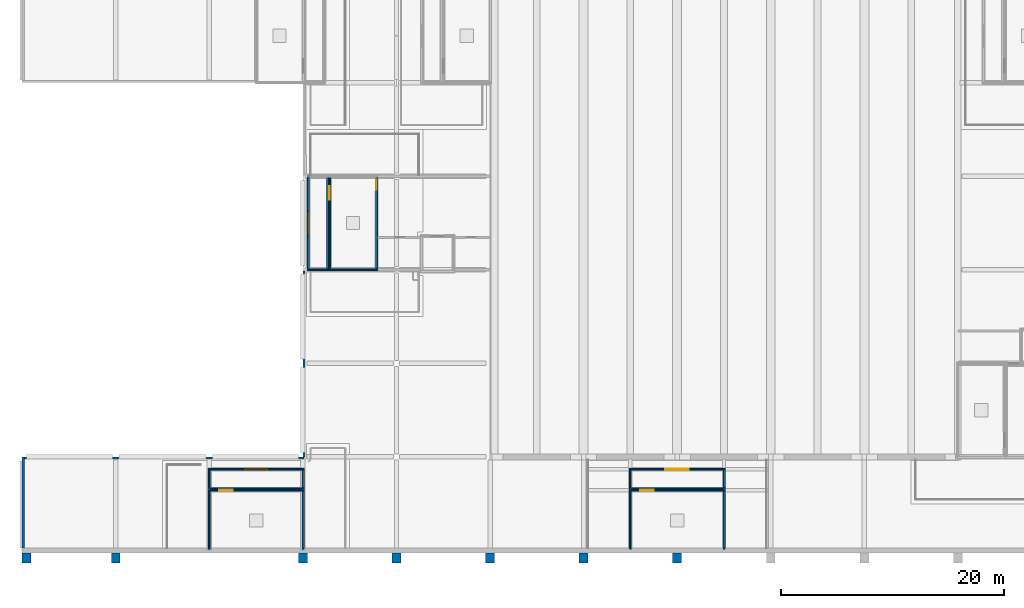
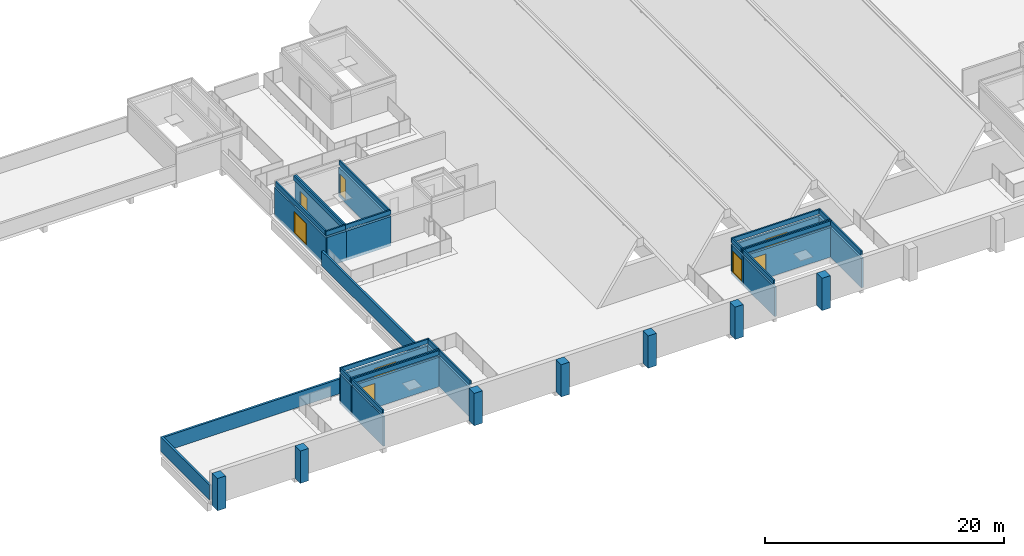
# One storey, part 11 of 24: 47 walls, 8 doors, 8 openings.
"""IFC4 building model written with IfcOpenShell, lengths in metres."""

from ifc_helpers import new_model, si_unit, direction, frame, frame_2d, origin, place, context, subcontext, project, spatial, rectangle, extrude, material, layer, layer_set, type_object, element, fill, save


model = new_model("IFC4")

# Units and contexts
model_context = context("Model", 3, precision=1e-05, world=origin(), true_north=direction((0.0, 1.0)))
body_context = subcontext(model_context, "Body", "Model", "MODEL_VIEW")
ifc_project = project(units=[si_unit("LENGTHUNIT", "METRE"), si_unit("AREAUNIT", "SQUARE_METRE"), si_unit("VOLUMEUNIT", "CUBIC_METRE"), si_unit("PLANEANGLEUNIT", "RADIAN"), si_unit("MASSUNIT", "GRAM", prefix="KILO")], contexts=[model_context])

# Site, building, storey
site_placement = place(None, origin())
site = spatial("IfcSite", under=ifc_project, at=site_placement, CompositionType="ELEMENT")
building_placement = place(site_placement, origin())
building = spatial("IfcBuilding", under=site, at=building_placement, Name="Rulbaag Community and Learning Centre", CompositionType="ELEMENT")
storey_placement = place(building_placement, frame((0.0, 0.0, 14.39990234375)))
storey = spatial("IfcBuildingStorey", under=building, at=storey_placement, Name="L03", CompositionType="ELEMENT", Elevation=14.39990234375)

# Walls
ifc_material_1 = material(Name="Concrete M40", Category="concrete")
ifc_layer_1 = layer(ifc_material_1, 0.800048828125)
ifc_layer_set_1 = layer_set([ifc_layer_1], Name="EW-BTR")
wall_type_1 = type_object("IfcWallType", Name="EW-BTR", PredefinedType="SOLIDWALL", material=ifc_layer_set_1)
for number, where, z_axis, x_axis, name in (
    (1, (0.39990234375, -0.22509765625, -0.2998046875), (0.0, 0.0, 1.0), (0.0, -1.0, 0.0), "Buttress pier"),
    (2, (8.39990234375, -0.22509765625, -0.2998046875), (0.0, 0.0, 1.0), (0.0, -1.0, 0.0), "Buttress pier"),
    (3, (25.199951171875, -0.22509765625, -0.2998046875), (0.0, 0.0, 1.0), (0.0, -1.0, 0.0), "Buttress pier"),
    (4, (33.60009765625, -0.22509765625, -0.2998046875), (0.0, 0.0, 1.0), (0.0, -1.0, 0.0), "Buttress pier"),
    (5, (42.0, -0.22509765625, -0.2998046875), (0.0, 0.0, 1.0), (0.0, -1.0, 0.0), "Buttress pier"),
    (6, (50.39990234375, -0.22509765625, -0.2998046875), (0.0, 0.0, 1.0), (0.0, -1.0, 0.0), "Buttress pier"),
    (7, (58.800048828125, -0.22509765625, -0.2998046875), (0.0, 0.0, 1.0), (0.0, -1.0, 0.0), "Buttress pier"),
):
    element("IfcWall", number, at=place(storey_placement, frame(where, z_axis=z_axis, x_axis=x_axis)), inside=storey, type_object=wall_type_1, Name=name, PredefinedType="SOLIDWALL", context=body_context, shape_type="SweptSolid", body=[
        extrude(rectangle(XDim=0.89990234375, YDim=0.800048828125, at=frame_2d((0.449951171875, 0.0))), origin(), (0.0, 0.0, 1.0), 3.2998046875),
    ])
ifc_layer_2 = layer(ifc_material_1, 0.14990234375)
ifc_layer_set_2 = layer_set([ifc_layer_2], Name="EW-PAR150")
wall_type_2 = type_object("IfcWallType", Name="EW-PAR150", PredefinedType="PARAPET", material=ifc_layer_set_2)
wall_1_placement = place(storey_placement, frame((27.5, 25.175048828125, 2.900146484375), z_axis=(0.0, 0.0, 1.0), x_axis=(1.0, 0.0, 0.0)))
element("IfcWall", 8, at=wall_1_placement, inside=storey, type_object=wall_type_2, Name="Precast concrete roof upstand with drip nose, head house roofs", PredefinedType="PARAPET", context=body_context, shape_type="SweptSolid", body=[
    extrude(rectangle(XDim=4.39990234375, YDim=0.14990234375, at=frame_2d((2.199951171875, 0.0))), origin(), (0.0, 0.0, 1.0), 0.449951171875),
])
for number, where, z_axis, x_axis, name in (
    (9, (27.574951171875, 25.25, 2.900146484375), (0.0, 0.0, 1.0), (0.0, 1.0, 0.0), "Precast concrete roof upstand with drip nose, head house roofs"),
    (10, (31.824951171875, 25.25, 2.900146484375), (0.0, 0.0, 1.0), (0.0, 1.0, 0.0), "Precast concrete roof upstand with drip nose, head house roofs"),
):
    element("IfcWall", number, at=place(storey_placement, frame(where, z_axis=z_axis, x_axis=x_axis)), inside=storey, type_object=wall_type_2, Name=name, PredefinedType="PARAPET", context=body_context, shape_type="SweptSolid", body=[
        extrude(rectangle(XDim=8.300048828125, YDim=0.14990234375, at=frame_2d((4.14990234375, 0.0))), origin(), (0.0, 0.0, 1.0), 0.449951171875),
    ])
wall_2_placement = place(storey_placement, frame((25.60009765625, 25.175048828125, 2.900146484375), z_axis=(0.0, 0.0, 1.0), x_axis=(1.0, 0.0, 0.0)))
element("IfcWall", 11, at=wall_2_placement, inside=storey, type_object=wall_type_2, Name="Precast concrete roof upstand with drip nose, head house roofs", PredefinedType="PARAPET", context=body_context, shape_type="SweptSolid", body=[
    extrude(rectangle(XDim=1.89990234375, YDim=0.14990234375, at=frame_2d((0.949951171875, 0.0))), origin(), (0.0, 0.0, 1.0), 0.449951171875),
])
for number, where, z_axis, x_axis, name in (
    (12, (25.675048828125, 25.25, 2.900146484375), (0.0, 0.0, 1.0), (0.0, 1.0, 0.0), "Precast concrete roof upstand with drip nose, head house roofs"),
    (13, (27.425048828125, 25.25, 2.900146484375), (0.0, 0.0, 1.0), (0.0, 1.0, 0.0), "Precast concrete roof upstand with drip nose, head house roofs"),
):
    element("IfcWall", number, at=place(storey_placement, frame(where, z_axis=z_axis, x_axis=x_axis)), inside=storey, type_object=wall_type_2, Name=name, PredefinedType="PARAPET", context=body_context, shape_type="SweptSolid", body=[
        extrude(rectangle(XDim=8.300048828125, YDim=0.14990234375, at=frame_2d((4.14990234375, 0.0))), origin(), (0.0, 0.0, 1.0), 0.449951171875),
    ])
wall_3_placement = place(storey_placement, frame((54.5, 5.425048828125, 2.900146484375), z_axis=(0.0, 0.0, 1.0), x_axis=(1.0, 0.0, 0.0)))
element("IfcWall", 14, at=wall_3_placement, inside=storey, type_object=wall_type_2, Name="Precast concrete roof upstand with drip nose, head house roofs", PredefinedType="PARAPET", context=body_context, shape_type="SweptSolid", body=[
    extrude(rectangle(XDim=8.60009765625, YDim=0.14990234375, at=frame_2d((4.300048828125, 0.0))), origin(), (0.0, 0.0, 1.0), 0.449951171875),
])
for number, where, z_axis, x_axis, name in (
    (15, (54.574951171875, 0.22509765625, 2.900146484375), (0.0, 0.0, 1.0), (0.0, 1.0, 0.0), "Precast concrete roof upstand with drip nose, head house roofs"),
    (16, (63.02490234375, 0.22509765625, 2.900146484375), (0.0, 0.0, 1.0), (0.0, 1.0, 0.0), "Precast concrete roof upstand with drip nose, head house roofs"),
):
    element("IfcWall", number, at=place(storey_placement, frame(where, z_axis=z_axis, x_axis=x_axis)), inside=storey, type_object=wall_type_2, Name=name, PredefinedType="PARAPET", context=body_context, shape_type="SweptSolid", body=[
        extrude(rectangle(XDim=5.125, YDim=0.14990234375, at=frame_2d((2.5625, 0.0))), origin(), (0.0, 0.0, 1.0), 0.449951171875),
    ])
for number, where, z_axis, x_axis, name in (
    (17, (54.5, 5.574951171875, 2.900146484375), (0.0, 0.0, 1.0), (1.0, 0.0, 0.0), "Precast concrete roof upstand with drip nose, head house roofs"),
    (18, (54.5, 7.324951171875, 2.900146484375), (0.0, 0.0, 1.0), (1.0, 0.0, 0.0), "Precast concrete roof upstand with drip nose, head house roofs"),
):
    element("IfcWall", number, at=place(storey_placement, frame(where, z_axis=z_axis, x_axis=x_axis)), inside=storey, type_object=wall_type_2, Name=name, PredefinedType="PARAPET", context=body_context, shape_type="SweptSolid", body=[
        extrude(rectangle(XDim=8.60009765625, YDim=0.14990234375, at=frame_2d((4.300048828125, 0.0))), origin(), (0.0, 0.0, 1.0), 0.449951171875),
    ])
for number, where, z_axis, x_axis, name in (
    (19, (54.574951171875, 5.64990234375, 2.900146484375), (0.0, 0.0, 1.0), (0.0, 1.0, 0.0), "Precast concrete roof upstand with drip nose, head house roofs"),
    (20, (63.02490234375, 5.64990234375, 2.900146484375), (0.0, 0.0, 1.0), (0.0, 1.0, 0.0), "Precast concrete roof upstand with drip nose, head house roofs"),
):
    element("IfcWall", number, at=place(storey_placement, frame(where, z_axis=z_axis, x_axis=x_axis)), inside=storey, type_object=wall_type_2, Name=name, PredefinedType="PARAPET", context=body_context, shape_type="SweptSolid", body=[
        extrude(rectangle(XDim=1.60009765625, YDim=0.14990234375, at=frame_2d((0.800048828125, 0.0))), origin(), (0.0, 0.0, 1.0), 0.449951171875),
    ])
wall_4_placement = place(storey_placement, frame((16.699951171875, 5.425048828125, 2.900146484375), z_axis=(0.0, 0.0, 1.0), x_axis=(1.0, 0.0, 0.0)))
element("IfcWall", 21, at=wall_4_placement, inside=storey, type_object=wall_type_2, Name="Precast concrete roof upstand with drip nose, head house roofs", PredefinedType="PARAPET", context=body_context, shape_type="SweptSolid", body=[
    extrude(rectangle(XDim=8.60009765625, YDim=0.14990234375, at=frame_2d((4.300048828125, 0.0))), origin(), (0.0, 0.0, 1.0), 0.449951171875),
])
for number, where, z_axis, x_axis, name in (
    (22, (16.77490234375, 0.22509765625, 2.900146484375), (0.0, 0.0, 1.0), (0.0, 1.0, 0.0), "Precast concrete roof upstand with drip nose, head house roofs"),
    (23, (25.22509765625, 0.22509765625, 2.900146484375), (0.0, 0.0, 1.0), (0.0, 1.0, 0.0), "Precast concrete roof upstand with drip nose, head house roofs"),
):
    element("IfcWall", number, at=place(storey_placement, frame(where, z_axis=z_axis, x_axis=x_axis)), inside=storey, type_object=wall_type_2, Name=name, PredefinedType="PARAPET", context=body_context, shape_type="SweptSolid", body=[
        extrude(rectangle(XDim=5.125, YDim=0.14990234375, at=frame_2d((2.5625, 0.0))), origin(), (0.0, 0.0, 1.0), 0.449951171875),
    ])
for number, where, z_axis, x_axis, name in (
    (24, (16.699951171875, 5.574951171875, 2.900146484375), (0.0, 0.0, 1.0), (1.0, 0.0, 0.0), "Precast concrete roof upstand with drip nose, head house roofs"),
    (25, (16.699951171875, 7.324951171875, 2.900146484375), (0.0, 0.0, 1.0), (1.0, 0.0, 0.0), "Precast concrete roof upstand with drip nose, head house roofs"),
):
    element("IfcWall", number, at=place(storey_placement, frame(where, z_axis=z_axis, x_axis=x_axis)), inside=storey, type_object=wall_type_2, Name=name, PredefinedType="PARAPET", context=body_context, shape_type="SweptSolid", body=[
        extrude(rectangle(XDim=8.60009765625, YDim=0.14990234375, at=frame_2d((4.300048828125, 0.0))), origin(), (0.0, 0.0, 1.0), 0.449951171875),
    ])
for number, where, z_axis, x_axis, name in (
    (26, (16.77490234375, 5.64990234375, 2.900146484375), (0.0, 0.0, 1.0), (0.0, 1.0, 0.0), "Precast concrete roof upstand with drip nose, head house roofs"),
    (27, (25.22509765625, 5.64990234375, 2.900146484375), (0.0, 0.0, 1.0), (0.0, 1.0, 0.0), "Precast concrete roof upstand with drip nose, head house roofs"),
):
    element("IfcWall", number, at=place(storey_placement, frame(where, z_axis=z_axis, x_axis=x_axis)), inside=storey, type_object=wall_type_2, Name=name, PredefinedType="PARAPET", context=body_context, shape_type="SweptSolid", body=[
        extrude(rectangle(XDim=1.60009765625, YDim=0.14990234375, at=frame_2d((0.800048828125, 0.0))), origin(), (0.0, 0.0, 1.0), 0.449951171875),
    ])
ifc_layer_3 = layer(ifc_material_1, 0.199951171875)
ifc_layer_set_3 = layer_set([ifc_layer_3], Name="EW-PAR200")
wall_type_3 = type_object("IfcWallType", Name="EW-PAR200", PredefinedType="PARAPET", material=ifc_layer_set_3)
wall_5_placement = place(storey_placement, frame((0.10009765625, 0.22509765625, 0.0), z_axis=(0.0, 0.0, 1.0), x_axis=(0.0, 1.0, 0.0)))
element("IfcWall", 28, at=wall_5_placement, inside=storey, type_object=wall_type_3, Name="Roof parapet", PredefinedType="PARAPET", context=body_context, shape_type="SweptSolid", body=[
    extrude(rectangle(XDim=8.1748046875, YDim=0.199951171875, at=frame_2d((4.08740234375, 0.0))), origin(), (0.0, 0.0, 1.0), 1.5),
])
wall_6_placement = place(storey_placement, frame((0.199951171875, 8.300048828125, 0.0), z_axis=(0.0, 0.0, 1.0), x_axis=(1.0, 0.0, 0.0)))
element("IfcWall", 29, at=wall_6_placement, inside=storey, type_object=wall_type_3, Name="Roof parapet", PredefinedType="PARAPET", context=body_context, shape_type="SweptSolid", body=[
    extrude(rectangle(XDim=25.10009765625, YDim=0.199951171875, at=frame_2d((12.550048828125, 0.0))), origin(), (0.0, 0.0, 1.0), 1.5),
])
wall_7_placement = place(storey_placement, frame((25.300048828125, 8.39990234375, 0.0), z_axis=(0.0, 0.0, 1.0), x_axis=(0.0, 1.0, 0.0)))
element("IfcWall", 30, at=wall_7_placement, inside=storey, type_object=wall_type_3, Name="Roof parapet", PredefinedType="PARAPET", context=body_context, shape_type="SweptSolid", body=[
    extrude(rectangle(XDim=16.7001953125, YDim=0.199951171875, at=frame_2d((8.35009765625, 0.0))), origin(), (0.0, 0.0, 1.0), 1.5),
])
ifc_layer_4 = layer(ifc_material_1, 0.199951171875)
ifc_layer_set_4 = layer_set([ifc_layer_4], Name="W14 Stair head wall 200 Concrete M40")
wall_type_4 = type_object("IfcWallType", Name="W14 Stair head wall 200 Concrete M40", PredefinedType="SHEAR", material=ifc_layer_set_4)
wall_8_placement = place(storey_placement, frame((27.5, 25.199951171875, -0.2998046875), z_axis=(0.0, 0.0, 1.0), x_axis=(1.0, 0.0, 0.0)))
element("IfcWall", 31, at=wall_8_placement, inside=storey, type_object=wall_type_4, Name="WL-HEAD-SH1-S", PredefinedType="SHEAR", context=body_context, shape_type="SweptSolid", body=[
    extrude(rectangle(XDim=4.39990234375, YDim=0.199951171875, at=frame_2d((2.199951171875, 0.0))), origin(), (0.0, 0.0, 1.0), 3.0),
])

# Wall, opening, door
wall_9_placement = place(storey_placement, frame((27.60009765625, 25.300048828125, -0.2998046875), z_axis=(0.0, 0.0, 1.0), x_axis=(0.0, 1.0, 0.0)))
wall_9 = element("IfcWall", 32, at=wall_9_placement, inside=storey, type_object=wall_type_4, Name="WL-HEAD-SH1-W", PredefinedType="SHEAR", context=body_context, shape_type="SweptSolid", body=[
    extrude(rectangle(XDim=8.199951171875, YDim=0.199951171875, at=frame_2d((4.10009765625, 0.0))), origin(), (0.0, 0.0, 1.0), 3.0),
])
opening_1_placement = place(wall_9_placement, frame((6.199951171875, 0.0, 0.300048828125)))
opening_1 = element("IfcOpeningElement", 33, at=opening_1_placement, cuts=wall_9, Name="Opening L03-D006", PredefinedType="OPENING", context=body_context, shape_type="SweptSolid", body=[
    extrude(rectangle(XDim=1.199951171875, YDim=2.199951171875, at=frame_2d((0.60009765625, 1.10009765625))), frame((0.0, 0.10986328125, 0.0), z_axis=(0.0, -1.0, 0.0), x_axis=(1.0, 0.0, 0.0)), (0.0, 0.0, 1.0), 0.219970703125),
])
ifc_material_2 = material(Name="Galvanised steel", Category="steel")
door_type_1 = type_object("IfcDoorType", Name="DT-12", OperationType="SINGLE_SWING_LEFT", PredefinedType="DOOR", material=ifc_material_2)
door_1_placement = place(opening_1_placement, origin())
door_1 = element("IfcDoor", 34, at=door_1_placement, inside=storey, type_object=door_type_1, Name="Lobby door L2", OperationType="SINGLE_SWING_LEFT", OverallHeight=2.199951171875, OverallWidth=1.199951171875, PredefinedType="DOOR", context=body_context, shape_type="SweptSolid", body=[
    extrude(rectangle(XDim=1.199951171875, YDim=2.199951171875, at=frame_2d((0.60009765625, 1.10009765625))), frame((0.0, 0.02490234375, 0.0), z_axis=(0.0, -1.0, 0.0), x_axis=(1.0, 0.0, 0.0)), (0.0, 0.0, 1.0), 0.050048828125),
])
fill(opening_1, door_1)

wall_10_placement = place(storey_placement, frame((31.800048828125, 25.300048828125, -0.2998046875), z_axis=(0.0, 0.0, 1.0), x_axis=(0.0, 1.0, 0.0)))
wall_10 = element("IfcWall", 35, at=wall_10_placement, inside=storey, type_object=wall_type_4, Name="WL-HEAD-SH1-E", PredefinedType="SHEAR", context=body_context, shape_type="SweptSolid", body=[
    extrude(rectangle(XDim=8.199951171875, YDim=0.199951171875, at=frame_2d((4.10009765625, 0.0))), origin(), (0.0, 0.0, 1.0), 3.0),
])
opening_2_placement = place(wall_10_placement, frame((7.050048828125, 0.0, 0.300048828125)))
opening_2 = element("IfcOpeningElement", 36, at=opening_2_placement, cuts=wall_10, Name="Opening L03-D007", PredefinedType="OPENING", context=body_context, shape_type="SweptSolid", body=[
    extrude(rectangle(XDim=1.0, YDim=2.10009765625, at=frame_2d((0.5, 1.050048828125))), frame((0.0, 0.10986328125, 0.0), z_axis=(0.0, -1.0, 0.0), x_axis=(1.0, 0.0, 0.0)), (0.0, 0.0, 1.0), 0.219970703125),
])
door_type_2 = type_object("IfcDoorType", Name="FD-1000 FIRE DOOR 1000 x 2100", OperationType="SINGLE_SWING_LEFT", PredefinedType="DOOR", material=ifc_material_2)
door_2_placement = place(opening_2_placement, origin())
door_2 = element("IfcDoor", 37, at=door_2_placement, inside=storey, type_object=door_type_2, Name="Door L03-D007", OperationType="SINGLE_SWING_RIGHT", OverallHeight=2.10009765625, OverallWidth=1.0, PredefinedType="DOOR", context=body_context, shape_type="SweptSolid", body=[
    extrude(rectangle(XDim=1.0, YDim=2.10009765625, at=frame_2d((0.5, 1.050048828125))), frame((0.0, 0.02490234375, 0.0), z_axis=(0.0, -1.0, 0.0), x_axis=(1.0, 0.0, 0.0)), (0.0, 0.0, 1.0), 0.050048828125),
])
fill(opening_2, door_2)

# Wall
wall_11_placement = place(storey_placement, frame((27.60009765625, 25.199951171875, -0.2998046875), z_axis=(0.0, 0.0, 1.0), x_axis=(-1.0, 0.0, 0.0)))
element("IfcWall", 38, at=wall_11_placement, inside=storey, type_object=wall_type_4, Name="WL-LOBBY-SH1-S", PredefinedType="SHEAR", context=body_context, shape_type="SweptSolid", body=[
    extrude(rectangle(XDim=1.900146484375, YDim=0.199951171875, at=frame_2d((0.9501953125, 0.0))), origin(), (0.0, 0.0, 1.0), 3.0),
])

# Wall, opening, door
wall_12_placement = place(storey_placement, frame((25.699951171875, 25.10009765625, -0.2998046875), z_axis=(0.0, 0.0, 1.0), x_axis=(0.0, 1.0, 0.0)))
wall_12 = element("IfcWall", 39, at=wall_12_placement, inside=storey, type_object=wall_type_4, Name="WL-LOBBY-SH1-O", PredefinedType="SHEAR", context=body_context, shape_type="SweptSolid", body=[
    extrude(rectangle(XDim=8.599853515625, YDim=0.199951171875, at=frame_2d((4.2998046875, 0.0))), origin(), (0.0, 0.0, 1.0), 3.0),
])
opening_3_placement = place(wall_12_placement, frame((3.25, 0.0, 0.300048828125)))
opening_3 = element("IfcOpeningElement", 40, at=opening_3_placement, cuts=wall_12, Name="Opening L03-D004", PredefinedType="OPENING", context=body_context, shape_type="SweptSolid", body=[
    extrude(rectangle(XDim=2.10009765625, YDim=2.199951171875, at=frame_2d((1.050048828125, 1.10009765625))), frame((0.0, 0.10986328125, 0.0), z_axis=(0.0, -1.0, 0.0), x_axis=(1.0, 0.0, 0.0)), (0.0, 0.0, 1.0), 0.219970703125),
])
door_type_3 = type_object("IfcDoorType", Name="DX-21", OperationType="DOUBLE_DOOR_SINGLE_SWING", PredefinedType="DOOR", material=ifc_material_2)
door_3_placement = place(opening_3_placement, origin())
door_3 = element("IfcDoor", 41, at=door_3_placement, inside=storey, type_object=door_type_3, Name="Terrace door T2", OperationType="DOUBLE_DOOR_SINGLE_SWING", OverallHeight=2.199951171875, OverallWidth=2.10009765625, PredefinedType="DOOR", context=body_context, shape_type="SweptSolid", body=[
    extrude(rectangle(XDim=2.10009765625, YDim=0.012939453125, at=frame_2d((1.050048828125, 0.006591796875))), frame((0.0, 0.087890625, 0.0), z_axis=(0.0, -1.0, 0.0), x_axis=(1.0, 0.0, 0.0)), (0.0, 0.0, 1.0), 0.176025390625),
    extrude(rectangle(XDim=0.074951171875, YDim=2.112060546875, at=frame_2d((0.03759765625, 1.069091796875))), frame((0.0, 0.09814453125, 0.0), z_axis=(0.0, -1.0, 0.0), x_axis=(1.0, 0.0, 0.0)), (0.0, 0.0, 1.0), 0.196044921875),
    extrude(rectangle(XDim=0.074951171875, YDim=2.112060546875, at=frame_2d((2.0625, 1.069091796875))), frame((0.0, 0.09814453125, 0.0), z_axis=(0.0, -1.0, 0.0), x_axis=(1.0, 0.0, 0.0)), (0.0, 0.0, 1.0), 0.196044921875),
    extrude(rectangle(XDim=2.10009765625, YDim=0.074951171875, at=frame_2d((1.050048828125, 2.16259765625))), frame((0.0, 0.087890625, 0.0), z_axis=(0.0, -1.0, 0.0), x_axis=(1.0, 0.0, 0.0)), (0.0, 0.0, 1.0), 0.176025390625),
    extrude(rectangle(XDim=1.9501953125, YDim=2.112060546875, at=frame_2d((1.050048828125, 1.069091796875))), frame((0.0, 0.02490234375, 0.0), z_axis=(0.0, -1.0, 0.0), x_axis=(1.0, 0.0, 0.0)), (0.0, 0.0, 1.0), 0.050048828125),
])
fill(opening_3, door_3)

wall_13_placement = place(storey_placement, frame((54.5, 5.39990234375, -0.2998046875), z_axis=(0.0, 0.0, 1.0), x_axis=(1.0, 0.0, 0.0)))
wall_13 = element("IfcWall", 42, at=wall_13_placement, inside=storey, type_object=wall_type_4, Name="WL-HEAD-SH8-N", PredefinedType="SHEAR", context=body_context, shape_type="SweptSolid", body=[
    extrude(rectangle(XDim=8.60009765625, YDim=0.199951171875, at=frame_2d((4.300048828125, 0.0))), origin(), (0.0, 0.0, 1.0), 3.0),
])
opening_4_placement = place(wall_13_placement, frame((1.0, 0.0, 0.300048828125)))
opening_4 = element("IfcOpeningElement", 43, at=opening_4_placement, cuts=wall_13, Name="Opening L03-D014", PredefinedType="OPENING", context=body_context, shape_type="SweptSolid", body=[
    extrude(rectangle(XDim=1.199951171875, YDim=2.199951171875, at=frame_2d((0.60009765625, 1.10009765625))), frame((0.0, 0.10986328125, 0.0), z_axis=(0.0, -1.0, 0.0), x_axis=(1.0, 0.0, 0.0)), (0.0, 0.0, 1.0), 0.219970703125),
])
door_4_placement = place(opening_4_placement, origin())
door_4 = element("IfcDoor", 44, at=door_4_placement, inside=storey, type_object=door_type_1, Name="Lobby door L9", OperationType="SINGLE_SWING_RIGHT", OverallHeight=2.199951171875, OverallWidth=1.199951171875, PredefinedType="DOOR", context=body_context, shape_type="SweptSolid", body=[
    extrude(rectangle(XDim=1.199951171875, YDim=2.199951171875, at=frame_2d((0.60009765625, 1.10009765625))), frame((0.0, 0.02490234375, 0.0), z_axis=(0.0, -1.0, 0.0), x_axis=(1.0, 0.0, 0.0)), (0.0, 0.0, 1.0), 0.050048828125),
])
fill(opening_4, door_4)

# Walls
for number, where, z_axis, x_axis, name in (
    (45, (54.60009765625, 0.10009765625, -0.2998046875), (0.0, 0.0, 1.0), (0.0, 1.0, 0.0), "WL-HEAD-SH8-W"),
    (46, (63.0, 0.10009765625, -0.2998046875), (0.0, 0.0, 1.0), (0.0, 1.0, 0.0), "WL-HEAD-SH8-E"),
):
    element("IfcWall", number, at=place(storey_placement, frame(where, z_axis=z_axis, x_axis=x_axis)), inside=storey, type_object=wall_type_4, Name=name, PredefinedType="SHEAR", context=body_context, shape_type="SweptSolid", body=[
        extrude(rectangle(XDim=5.199951171875, YDim=0.199951171875, at=frame_2d((2.60009765625, 0.0))), origin(), (0.0, 0.0, 1.0), 3.0),
    ])

# Wall, opening, door
wall_14_placement = place(storey_placement, frame((54.60009765625, 5.39990234375, -0.2998046875), z_axis=(0.0, 0.0, 1.0), x_axis=(0.0, 1.0, 0.0)))
wall_14 = element("IfcWall", 47, at=wall_14_placement, inside=storey, type_object=wall_type_4, Name="WL-LOBBY-SH8-W", PredefinedType="SHEAR", context=body_context, shape_type="SweptSolid", body=[
    extrude(rectangle(XDim=1.900146484375, YDim=0.199951171875, at=frame_2d((0.9501953125, 0.0))), origin(), (0.0, 0.0, 1.0), 3.0),
])
opening_5_placement = place(wall_14_placement, frame((0.14990234375, 0.0, 0.300048828125)))
opening_5 = element("IfcOpeningElement", 48, at=opening_5_placement, cuts=wall_14, Name="Opening L03-D013", PredefinedType="OPENING", context=body_context, shape_type="SweptSolid", body=[
    extrude(rectangle(XDim=1.60009765625, YDim=2.199951171875, at=frame_2d((0.800048828125, 1.10009765625))), frame((0.0, 0.10986328125, 0.0), z_axis=(0.0, -1.0, 0.0), x_axis=(1.0, 0.0, 0.0)), (0.0, 0.0, 1.0), 0.219970703125),
])
door_type_4 = type_object("IfcDoorType", Name="DX-16", OperationType="DOUBLE_DOOR_SINGLE_SWING", PredefinedType="DOOR", material=ifc_material_2)
door_5_placement = place(opening_5_placement, origin())
door_5 = element("IfcDoor", 49, at=door_5_placement, inside=storey, type_object=door_type_4, Name="Terrace door T9", OperationType="DOUBLE_DOOR_SINGLE_SWING", OverallHeight=2.199951171875, OverallWidth=1.60009765625, PredefinedType="DOOR", context=body_context, shape_type="SweptSolid", body=[
    extrude(rectangle(XDim=1.60009765625, YDim=0.012939453125, at=frame_2d((0.800048828125, 0.006591796875))), frame((0.0, 0.087890625, 0.0), z_axis=(0.0, -1.0, 0.0), x_axis=(1.0, 0.0, 0.0)), (0.0, 0.0, 1.0), 0.176025390625),
    extrude(rectangle(XDim=0.074951171875, YDim=2.112060546875, at=frame_2d((0.03759765625, 1.069091796875))), frame((0.0, 0.09814453125, 0.0), z_axis=(0.0, -1.0, 0.0), x_axis=(1.0, 0.0, 0.0)), (0.0, 0.0, 1.0), 0.196044921875),
    extrude(rectangle(XDim=0.074951171875, YDim=2.112060546875, at=frame_2d((1.5625, 1.069091796875))), frame((0.0, 0.09814453125, 0.0), z_axis=(0.0, -1.0, 0.0), x_axis=(1.0, 0.0, 0.0)), (0.0, 0.0, 1.0), 0.196044921875),
    extrude(rectangle(XDim=1.60009765625, YDim=0.074951171875, at=frame_2d((0.800048828125, 2.16259765625))), frame((0.0, 0.087890625, 0.0), z_axis=(0.0, -1.0, 0.0), x_axis=(1.0, 0.0, 0.0)), (0.0, 0.0, 1.0), 0.176025390625),
    extrude(rectangle(XDim=1.4501953125, YDim=2.112060546875, at=frame_2d((0.800048828125, 1.069091796875))), frame((0.0, 0.02490234375, 0.0), z_axis=(0.0, -1.0, 0.0), x_axis=(1.0, 0.0, 0.0)), (0.0, 0.0, 1.0), 0.050048828125),
])
fill(opening_5, door_5)

# Wall
wall_15_placement = place(storey_placement, frame((63.0, 5.39990234375, -0.2998046875), z_axis=(0.0, 0.0, 1.0), x_axis=(0.0, 1.0, 0.0)))
element("IfcWall", 50, at=wall_15_placement, inside=storey, type_object=wall_type_4, Name="WL-LOBBY-SH8-E", PredefinedType="SHEAR", context=body_context, shape_type="SweptSolid", body=[
    extrude(rectangle(XDim=1.900146484375, YDim=0.199951171875, at=frame_2d((0.9501953125, 0.0))), origin(), (0.0, 0.0, 1.0), 3.0),
])

# Wall, opening, door
wall_16_placement = place(storey_placement, frame((54.5, 7.300048828125, -0.2998046875), z_axis=(0.0, 0.0, 1.0), x_axis=(1.0, 0.0, 0.0)))
wall_16 = element("IfcWall", 51, at=wall_16_placement, inside=storey, type_object=wall_type_4, Name="WL-LOBBY-SH8-O", PredefinedType="SHEAR", context=body_context, shape_type="SweptSolid", body=[
    extrude(rectangle(XDim=8.60009765625, YDim=0.199951171875, at=frame_2d((4.300048828125, 0.0))), origin(), (0.0, 0.0, 1.0), 3.0),
])
opening_6_placement = place(wall_16_placement, frame((3.25, 0.0, 0.300048828125)))
opening_6 = element("IfcOpeningElement", 52, at=opening_6_placement, cuts=wall_16, Name="Opening L03-D015", PredefinedType="OPENING", context=body_context, shape_type="SweptSolid", body=[
    extrude(rectangle(XDim=2.10009765625, YDim=2.199951171875, at=frame_2d((1.050048828125, 1.10009765625))), frame((0.0, 0.10986328125, 0.0), z_axis=(0.0, -1.0, 0.0), x_axis=(1.0, 0.0, 0.0)), (0.0, 0.0, 1.0), 0.219970703125),
])
door_6_placement = place(opening_6_placement, origin())
door_6 = element("IfcDoor", 53, at=door_6_placement, inside=storey, type_object=door_type_3, Name="Door L03-D015", OperationType="DOUBLE_DOOR_SINGLE_SWING", OverallHeight=2.199951171875, OverallWidth=2.10009765625, PredefinedType="DOOR", context=body_context, shape_type="SweptSolid", body=[
    extrude(rectangle(XDim=2.10009765625, YDim=2.199951171875, at=frame_2d((1.050048828125, 1.10009765625))), frame((0.0, 0.02490234375, 0.0), z_axis=(0.0, -1.0, 0.0), x_axis=(1.0, 0.0, 0.0)), (0.0, 0.0, 1.0), 0.050048828125),
])
fill(opening_6, door_6)

wall_17_placement = place(storey_placement, frame((16.699951171875, 5.39990234375, -0.2998046875), z_axis=(0.0, 0.0, 1.0), x_axis=(1.0, 0.0, 0.0)))
wall_17 = element("IfcWall", 54, at=wall_17_placement, inside=storey, type_object=wall_type_4, Name="WL-HEAD-SH9-N", PredefinedType="SHEAR", context=body_context, shape_type="SweptSolid", body=[
    extrude(rectangle(XDim=8.60009765625, YDim=0.199951171875, at=frame_2d((4.300048828125, 0.0))), origin(), (0.0, 0.0, 1.0), 3.0),
])
opening_7_placement = place(wall_17_placement, frame((1.0, 0.0, 0.300048828125)))
opening_7 = element("IfcOpeningElement", 55, at=opening_7_placement, cuts=wall_17, Name="Opening L03-D001", PredefinedType="OPENING", context=body_context, shape_type="SweptSolid", body=[
    extrude(rectangle(XDim=1.199951171875, YDim=2.199951171875, at=frame_2d((0.60009765625, 1.10009765625))), frame((0.0, 0.10986328125, 0.0), z_axis=(0.0, -1.0, 0.0), x_axis=(1.0, 0.0, 0.0)), (0.0, 0.0, 1.0), 0.219970703125),
])
door_7_placement = place(opening_7_placement, origin())
door_7 = element("IfcDoor", 56, at=door_7_placement, inside=storey, type_object=door_type_1, Name="Lobby door L10", OperationType="SINGLE_SWING_RIGHT", OverallHeight=2.199951171875, OverallWidth=1.199951171875, PredefinedType="DOOR", context=body_context, shape_type="SweptSolid", body=[
    extrude(rectangle(XDim=1.199951171875, YDim=2.199951171875, at=frame_2d((0.60009765625, 1.10009765625))), frame((0.0, 0.02490234375, 0.0), z_axis=(0.0, -1.0, 0.0), x_axis=(1.0, 0.0, 0.0)), (0.0, 0.0, 1.0), 0.050048828125),
])
fill(opening_7, door_7)

# Walls
for number, where, z_axis, x_axis, name in (
    (57, (16.800048828125, 0.10009765625, -0.2998046875), (0.0, 0.0, 1.0), (0.0, 1.0, 0.0), "WL-HEAD-SH9-W"),
    (58, (25.199951171875, 0.10009765625, -0.2998046875), (0.0, 0.0, 1.0), (0.0, 1.0, 0.0), "WL-HEAD-SH9-E"),
):
    element("IfcWall", number, at=place(storey_placement, frame(where, z_axis=z_axis, x_axis=x_axis)), inside=storey, type_object=wall_type_4, Name=name, PredefinedType="SHEAR", context=body_context, shape_type="SweptSolid", body=[
        extrude(rectangle(XDim=5.199951171875, YDim=0.199951171875, at=frame_2d((2.60009765625, 0.0))), origin(), (0.0, 0.0, 1.0), 3.0),
    ])
for number, where, z_axis, x_axis, name in (
    (59, (16.800048828125, 5.39990234375, -0.2998046875), (0.0, 0.0, 1.0), (0.0, 1.0, 0.0), "WL-LOBBY-SH9-W"),
    (60, (25.199951171875, 5.39990234375, -0.2998046875), (0.0, 0.0, 1.0), (0.0, 1.0, 0.0), "WL-LOBBY-SH9-E"),
):
    element("IfcWall", number, at=place(storey_placement, frame(where, z_axis=z_axis, x_axis=x_axis)), inside=storey, type_object=wall_type_4, Name=name, PredefinedType="SHEAR", context=body_context, shape_type="SweptSolid", body=[
        extrude(rectangle(XDim=1.900146484375, YDim=0.199951171875, at=frame_2d((0.9501953125, 0.0))), origin(), (0.0, 0.0, 1.0), 3.0),
    ])

# Wall, opening, door
wall_18_placement = place(storey_placement, frame((16.699951171875, 7.300048828125, -0.2998046875), z_axis=(0.0, 0.0, 1.0), x_axis=(1.0, 0.0, 0.0)))
wall_18 = element("IfcWall", 61, at=wall_18_placement, inside=storey, type_object=wall_type_4, Name="WL-LOBBY-SH9-O", PredefinedType="SHEAR", context=body_context, shape_type="SweptSolid", body=[
    extrude(rectangle(XDim=8.60009765625, YDim=0.199951171875, at=frame_2d((4.300048828125, 0.0))), origin(), (0.0, 0.0, 1.0), 3.0),
])
opening_8_placement = place(wall_18_placement, frame((3.25, 0.0, 0.300048828125)))
opening_8 = element("IfcOpeningElement", 62, at=opening_8_placement, cuts=wall_18, Name="Opening L03-D002", PredefinedType="OPENING", context=body_context, shape_type="SweptSolid", body=[
    extrude(rectangle(XDim=2.10009765625, YDim=2.199951171875, at=frame_2d((1.050048828125, 1.10009765625))), frame((0.0, 0.10986328125, 0.0), z_axis=(0.0, -1.0, 0.0), x_axis=(1.0, 0.0, 0.0)), (0.0, 0.0, 1.0), 0.219970703125),
])
door_8_placement = place(opening_8_placement, origin())
door_8 = element("IfcDoor", 63, at=door_8_placement, inside=storey, type_object=door_type_3, Name="Terrace door T10", OperationType="DOUBLE_DOOR_SINGLE_SWING", OverallHeight=2.199951171875, OverallWidth=2.10009765625, PredefinedType="DOOR", context=body_context, shape_type="SweptSolid", body=[
    extrude(rectangle(XDim=2.10009765625, YDim=0.012939453125, at=frame_2d((1.050048828125, 0.006591796875))), frame((0.0, 0.087890625, 0.0), z_axis=(0.0, -1.0, 0.0), x_axis=(1.0, 0.0, 0.0)), (0.0, 0.0, 1.0), 0.176025390625),
    extrude(rectangle(XDim=0.074951171875, YDim=2.112060546875, at=frame_2d((0.03759765625, 1.069091796875))), frame((0.0, 0.09814453125, 0.0), z_axis=(0.0, -1.0, 0.0), x_axis=(1.0, 0.0, 0.0)), (0.0, 0.0, 1.0), 0.196044921875),
    extrude(rectangle(XDim=0.074951171875, YDim=2.112060546875, at=frame_2d((2.0625, 1.069091796875))), frame((0.0, 0.09814453125, 0.0), z_axis=(0.0, -1.0, 0.0), x_axis=(1.0, 0.0, 0.0)), (0.0, 0.0, 1.0), 0.196044921875),
    extrude(rectangle(XDim=2.10009765625, YDim=0.074951171875, at=frame_2d((1.050048828125, 2.16259765625))), frame((0.0, 0.087890625, 0.0), z_axis=(0.0, -1.0, 0.0), x_axis=(1.0, 0.0, 0.0)), (0.0, 0.0, 1.0), 0.176025390625),
    extrude(rectangle(XDim=1.9501953125, YDim=2.112060546875, at=frame_2d((1.050048828125, 1.069091796875))), frame((0.0, 0.02490234375, 0.0), z_axis=(0.0, -1.0, 0.0), x_axis=(1.0, 0.0, 0.0)), (0.0, 0.0, 1.0), 0.050048828125),
])
fill(opening_8, door_8)

save(model, "model.ifc")
